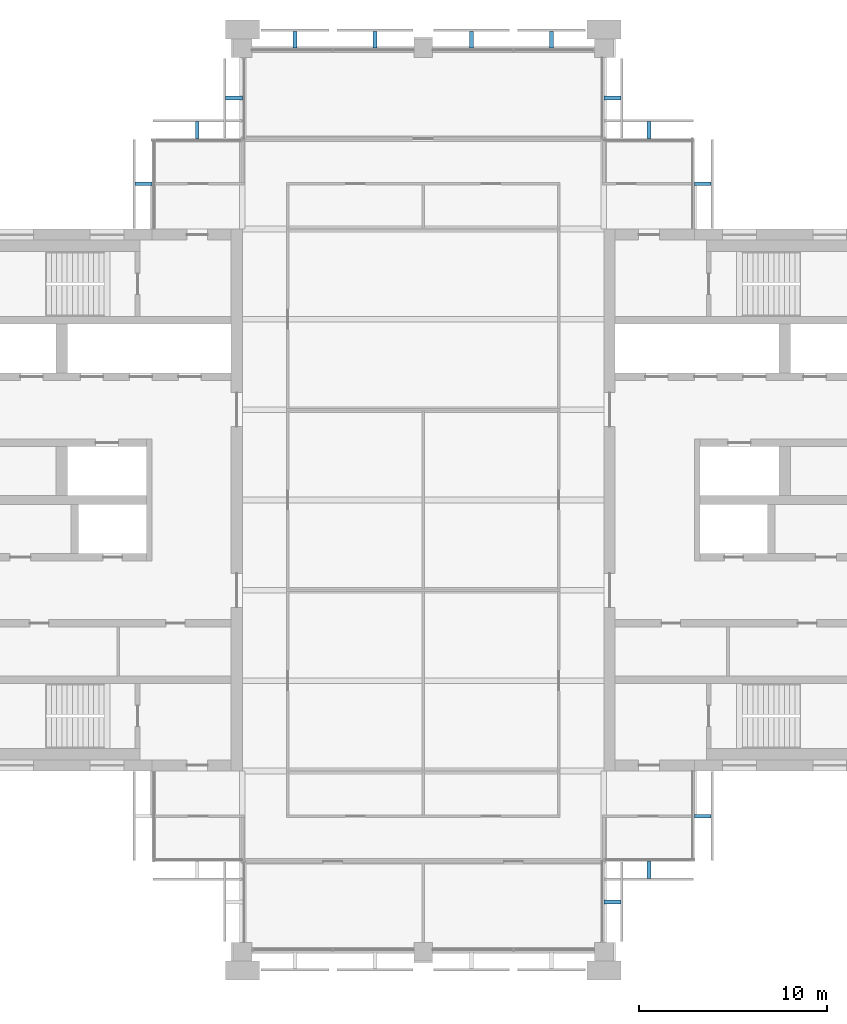
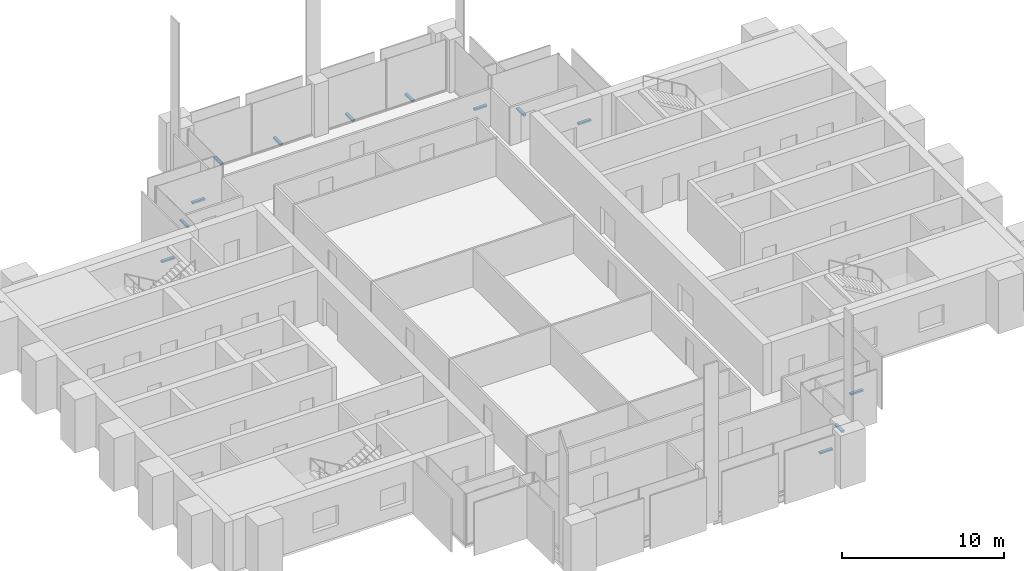
# One storey, part 12 of 13: 13 discrete accessories.
"""IFC4 building model written with IfcOpenShell, lengths in metres."""

from ifc_helpers import new_model, si_unit, direction, frame, origin, origin_2d, place, context, subcontext, project, spatial, rectangle, extrude, material, type_object, element, save


model = new_model("IFC4")

# Units and contexts
model_context = context("Model", 3, precision=1e-05, world=origin(), true_north=direction((0.0, 1.0)))
body_context = subcontext(model_context, "Body", "Model", "MODEL_VIEW")
ifc_project = project(units=[si_unit("LENGTHUNIT", "METRE"), si_unit("AREAUNIT", "SQUARE_METRE"), si_unit("VOLUMEUNIT", "CUBIC_METRE"), si_unit("PLANEANGLEUNIT", "RADIAN"), si_unit("MASSUNIT", "GRAM", prefix="KILO")], contexts=[model_context])

# Site, building, storey
site_placement = place(None, origin())
site = spatial("IfcSite", under=ifc_project, at=site_placement, CompositionType="ELEMENT")
building_placement = place(site_placement, origin())
building = spatial("IfcBuilding", under=site, at=building_placement, Name="Baori Bourse Tower", CompositionType="ELEMENT")
storey_placement = place(building_placement, frame((0.0, 0.0, 294.300048828125)))
storey = spatial("IfcBuildingStorey", under=building, at=storey_placement, Name="L64", CompositionType="ELEMENT", Elevation=294.300048828125)

# Discrete accessories
ifc_material = material(Name="Pale anodised aluminium", Category="aluminium")
discrete_accessory_type = type_object("IfcDiscreteAccessoryType", Name="OS2 Outer skin bracket", PredefinedType="BRACKET", material=ifc_material)
for number, where, z_axis, x_axis, name in (
    (1, (43.64990234375, 40.800048828125, -0.14404296875), (0.0, 0.0, 1.0), (0.0, 1.0, 0.0), "Outer skin bracket L64 1"),
    (2, (40.800048828125, 43.64990234375, -0.14404296875), (0.0, 0.0, 1.0), (-1.0, 0.0, 0.0), "Outer skin bracket L64 2"),
    (3, (38.85009765625, 45.35009765625, -0.14404296875), (0.0, 0.0, 1.0), (0.0, 1.0, 0.0), "Outer skin bracket L64 3"),
    (4, (35.612548828125, 48.449951171875, -0.14404296875), (0.0, 0.0, 1.0), (-1.0, 0.0, 0.0), "Outer skin bracket L64 4"),
    (5, (31.362548828125, 48.449951171875, -0.14404296875), (0.0, 0.0, 1.0), (-1.0, 0.0, 0.0), "Outer skin bracket L64 5"),
    (6, (26.237548828125, 48.449951171875, -0.14404296875), (0.0, 0.0, 1.0), (-1.0, 0.0, 0.0), "Outer skin bracket L64 6"),
    (7, (21.987548828125, 48.449951171875, -0.14404296875), (0.0, 0.0, 1.0), (-1.0, 0.0, 0.0), "Outer skin bracket L64 7"),
    (8, (18.75, 45.35009765625, -0.14404296875), (0.0, 0.0, 1.0), (0.0, -1.0, 0.0), "Outer skin bracket L64 8"),
    (9, (16.800048828125, 43.64990234375, -0.14404296875), (0.0, 0.0, 1.0), (-1.0, 0.0, 0.0), "Outer skin bracket L64 9"),
    (10, (13.949951171875, 40.800048828125, -0.14404296875), (0.0, 0.0, 1.0), (0.0, -1.0, 0.0), "Outer skin bracket L64 10"),
    (11, (38.85009765625, 2.64990234375, -0.14404296875), (0.0, 0.0, 1.0), (0.0, 1.0, 0.0), "Outer skin bracket L64 18"),
    (12, (40.800048828125, 4.35009765625, -0.14404296875), (0.0, 0.0, 1.0), (1.0, 0.0, 0.0), "Outer skin bracket L64 19"),
    (13, (43.64990234375, 7.199951171875, -0.14404296875), (0.0, 0.0, 1.0), (0.0, 1.0, 0.0), "Outer skin bracket L64 20"),
):
    element("IfcDiscreteAccessory", number, at=place(storey_placement, frame(where, z_axis=z_axis, x_axis=x_axis)), inside=storey, type_object=discrete_accessory_type, Name=name, PredefinedType="BRACKET", context=body_context, shape_type="SweptSolid", body=[
        extrude(rectangle(XDim=0.199951171875, YDim=0.89990234375, at=origin_2d()), origin(), (0.0, 0.0, 1.0), 0.1279296875),
    ])

save(model, "model.ifc")
